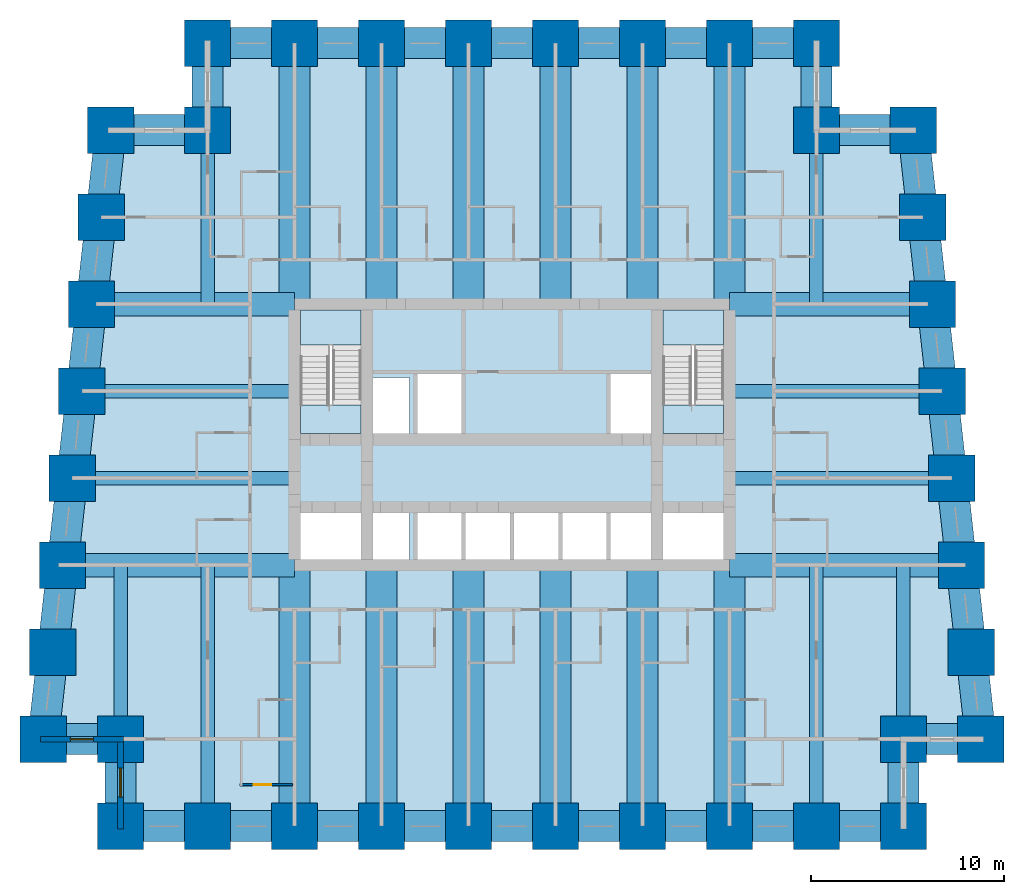
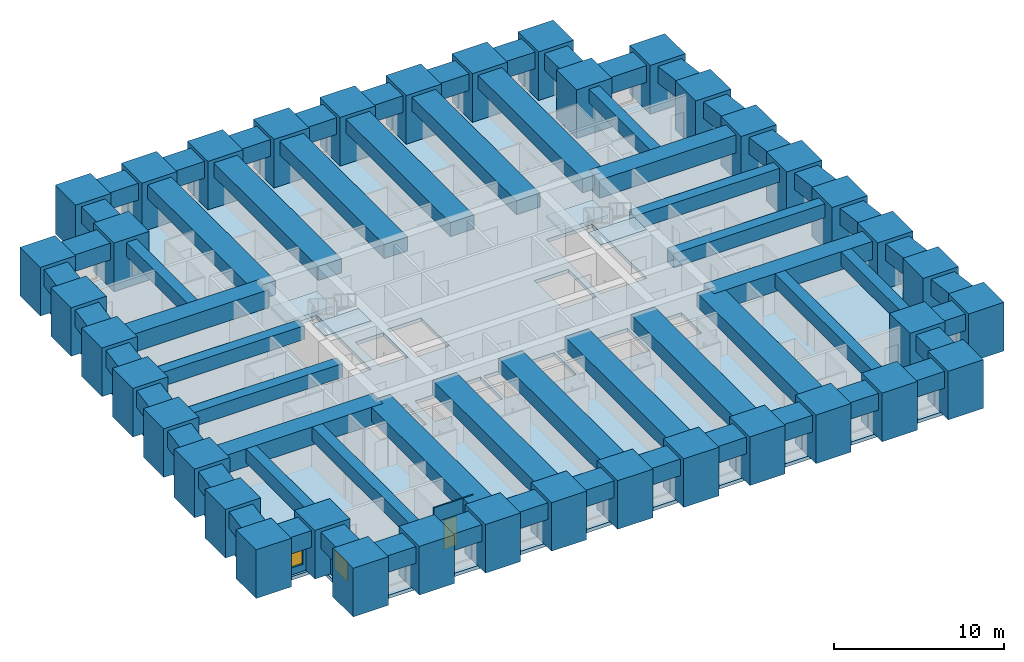
# One storey, part 1 of 8: 64 beams, 38 columns, 5 slabs, 3 walls, 2 windows, 1 door, 3 openings, 2 elements without a shape of their own.
"""IFC4 building model written with IfcOpenShell, lengths in metres."""

from ifc_helpers import new_model, si_unit, direction, frame, frame_2d, origin, origin_2d, place, context, subcontext, project, spatial, polyline, rectangle, outline, extrude, material, layer, layer_set, material_profile, profile_set, type_object, element, fill, aggregate, save


model = new_model("IFC4")

# Units and contexts
model_context = context("Model", 3, precision=1e-05, world=origin(), true_north=direction((0.0, 1.0)))
body_context = subcontext(model_context, "Body", "Model", "MODEL_VIEW")
ifc_project = project(units=[si_unit("LENGTHUNIT", "METRE"), si_unit("AREAUNIT", "SQUARE_METRE"), si_unit("VOLUMEUNIT", "CUBIC_METRE"), si_unit("PLANEANGLEUNIT", "RADIAN"), si_unit("MASSUNIT", "GRAM", prefix="KILO")], contexts=[model_context])

# Site, building, storey
site_placement = place(None, origin())
site = spatial("IfcSite", under=ifc_project, at=site_placement, CompositionType="ELEMENT")
building_placement = place(site_placement, origin())
building = spatial("IfcBuilding", under=site, at=building_placement, Name="Kilele Tower Hotel", CompositionType="ELEMENT")
storey_placement = place(building_placement, frame((0.0, 0.0, 29.699951171875)))
storey = spatial("IfcBuildingStorey", under=building, at=storey_placement, Name="L05", CompositionType="ELEMENT", Elevation=29.699951171875)

# Columns
ifc_material_1 = material(Name="Concrete C80/95", Category="concrete")
ifc_material_profile_1 = material_profile(ifc_material_1, rectangle(XDim=2.39990234375, YDim=2.39990234375, at=origin_2d()))
ifc_profile_set_1 = profile_set([ifc_material_profile_1], Name="Concrete C80/95")
column_type = type_object("IfcColumnType", Name="Tube column RC 2400x2400 C80/95", PredefinedType="COLUMN", material=ifc_profile_set_1)
for number, where, z_axis, x_axis, name in (
    (1, (0.5, 4.5, 0.0), (0.0, 0.0, 1.0), (1.0, 0.0, 0.0), "Column TC15 L05"),
    (2, (4.5, 4.5, 0.0), (0.0, 0.0, 1.0), (1.0, 0.0, 0.0), "Column TC15 L05"),
    (3, (4.5, 0.0, 0.0), (0.0, 0.0, 1.0), (1.0, 0.0, 0.0), "Column TC15 L05"),
    (4, (9.0, 0.0, 0.0), (0.0, 0.0, 1.0), (1.0, 0.0, 0.0), "Column TC15 L05"),
    (5, (13.5, 0.0, 0.0), (0.0, 0.0, 1.0), (1.0, 0.0, 0.0), "Column TC15 L05"),
    (6, (18.0, 0.0, 0.0), (0.0, 0.0, 1.0), (1.0, 0.0, 0.0), "Column TC15 L05"),
    (7, (22.5, 0.0, 0.0), (0.0, 0.0, 1.0), (1.0, 0.0, 0.0), "Column TC15 L05"),
    (8, (27.0, 0.0, 0.0), (0.0, 0.0, 1.0), (1.0, 0.0, 0.0), "Column TC15 L05"),
    (9, (31.5, 0.0, 0.0), (0.0, 0.0, 1.0), (1.0, 0.0, 0.0), "Column TC15 L05"),
    (10, (36.0, 0.0, 0.0), (0.0, 0.0, 1.0), (1.0, 0.0, 0.0), "Column TC15 L05"),
    (11, (40.5, 0.0, 0.0), (0.0, 0.0, 1.0), (1.0, 0.0, 0.0), "Column TC15 L05"),
    (12, (45.0, 0.0, 0.0), (0.0, 0.0, 1.0), (1.0, 0.0, 0.0), "Column TC15 L05"),
    (13, (45.0, 4.5, 0.0), (0.0, 0.0, 1.0), (1.0, 0.0, 0.0), "Column TC15 L05"),
    (14, (49.0, 4.5, 0.0), (0.0, 0.0, 1.0), (1.0, 0.0, 0.0), "Column TC15 L05"),
    (15, (48.5, 9.0, 0.0), (0.0, 0.0, 1.0), (1.0, 0.0, 0.0), "Column TC15 L05"),
    (16, (48.0, 13.5, 0.0), (0.0, 0.0, 1.0), (1.0, 0.0, 0.0), "Column TC15 L05"),
    (17, (47.5, 18.0, 0.0), (0.0, 0.0, 1.0), (1.0, 0.0, 0.0), "Column TC15 L05"),
    (18, (47.0, 22.5, 0.0), (0.0, 0.0, 1.0), (1.0, 0.0, 0.0), "Column TC15 L05"),
    (19, (46.5, 27.0, 0.0), (0.0, 0.0, 1.0), (1.0, 0.0, 0.0), "Column TC15 L05"),
    (20, (46.0, 31.5, 0.0), (0.0, 0.0, 1.0), (1.0, 0.0, 0.0), "Column TC15 L05"),
    (21, (45.5, 36.0, 0.0), (0.0, 0.0, 1.0), (1.0, 0.0, 0.0), "Column TC15 L05"),
    (22, (40.5, 36.0, 0.0), (0.0, 0.0, 1.0), (1.0, 0.0, 0.0), "Column TC15 L05"),
    (23, (40.5, 40.5, 0.0), (0.0, 0.0, 1.0), (1.0, 0.0, 0.0), "Column TC15 L05"),
    (24, (36.0, 40.5, 0.0), (0.0, 0.0, 1.0), (1.0, 0.0, 0.0), "Column TC15 L05"),
    (25, (31.5, 40.5, 0.0), (0.0, 0.0, 1.0), (1.0, 0.0, 0.0), "Column TC15 L05"),
    (26, (27.0, 40.5, 0.0), (0.0, 0.0, 1.0), (1.0, 0.0, 0.0), "Column TC15 L05"),
    (27, (22.5, 40.5, 0.0), (0.0, 0.0, 1.0), (1.0, 0.0, 0.0), "Column TC15 L05"),
    (28, (18.0, 40.5, 0.0), (0.0, 0.0, 1.0), (1.0, 0.0, 0.0), "Column TC15 L05"),
    (29, (13.5, 40.5, 0.0), (0.0, 0.0, 1.0), (1.0, 0.0, 0.0), "Column TC15 L05"),
    (30, (9.0, 40.5, 0.0), (0.0, 0.0, 1.0), (1.0, 0.0, 0.0), "Column TC15 L05"),
    (31, (9.0, 36.0, 0.0), (0.0, 0.0, 1.0), (1.0, 0.0, 0.0), "Column TC15 L05"),
    (32, (4.0, 36.0, 0.0), (0.0, 0.0, 1.0), (1.0, 0.0, 0.0), "Column TC15 L05"),
    (33, (3.5, 31.5, 0.0), (0.0, 0.0, 1.0), (1.0, 0.0, 0.0), "Column TC15 L05"),
    (34, (3.0, 27.0, 0.0), (0.0, 0.0, 1.0), (1.0, 0.0, 0.0), "Column TC15 L05"),
    (35, (2.5, 22.5, 0.0), (0.0, 0.0, 1.0), (1.0, 0.0, 0.0), "Column TC15 L05"),
    (36, (2.0, 18.0, 0.0), (0.0, 0.0, 1.0), (1.0, 0.0, 0.0), "Column TC15 L05"),
    (37, (1.5, 13.5, 0.0), (0.0, 0.0, 1.0), (1.0, 0.0, 0.0), "Column TC15 L05"),
    (38, (1.0, 9.0, 0.0), (0.0, 0.0, 1.0), (1.0, 0.0, 0.0), "Column TC15 L05"),
):
    element("IfcColumn", number, at=place(storey_placement, frame(where, z_axis=z_axis, x_axis=x_axis)), inside=storey, type_object=column_type, Name=name, PredefinedType="COLUMN", context=body_context, shape_type="SweptSolid", body=[
        extrude(rectangle(XDim=2.39990234375, YDim=2.39990234375, at=origin_2d()), origin(), (0.0, 0.0, 1.0), 3.5),
    ])

# Beams
ifc_material_2 = material(Name="Concrete C60/75", Category="concrete")
ifc_material_profile_2 = material_profile(ifc_material_2, rectangle(XDim=1.60009765625, YDim=1.0, at=origin_2d()))
ifc_profile_set_2 = profile_set([ifc_material_profile_2], Name="Concrete C60/75")
beam_type_1 = type_object("IfcBeamType", Name="Beam RC 1600x1000 C60/75", PredefinedType="BEAM", material=ifc_profile_set_2)
for number, where, z_axis, x_axis, name in (
    (39, (13.5, 0.0, 2.75), (0.0, 1.0, 0.0), (-1.0, 0.0, 0.0), "Beam BC1 level L06"),
    (40, (18.0, 0.0, 2.75), (0.0, 1.0, 0.0), (-1.0, 0.0, 0.0), "Beam BC1 level L06"),
    (41, (22.5, 0.0, 2.75), (0.0, 1.0, 0.0), (-1.0, 0.0, 0.0), "Beam BC1 level L06"),
    (42, (27.0, 0.0, 2.75), (0.0, 1.0, 0.0), (-1.0, 0.0, 0.0), "Beam BC1 level L06"),
    (43, (31.5, 0.0, 2.75), (0.0, 1.0, 0.0), (-1.0, 0.0, 0.0), "Beam BC1 level L06"),
    (44, (36.0, 0.0, 2.75), (0.0, 1.0, 0.0), (-1.0, 0.0, 0.0), "Beam BC1 level L06"),
    (45, (36.0, 40.5, 2.75), (0.0, -1.0, 0.0), (1.0, 0.0, 0.0), "Beam BC1 level L06"),
    (46, (31.5, 40.5, 2.75), (0.0, -1.0, 0.0), (1.0, 0.0, 0.0), "Beam BC1 level L06"),
    (47, (27.0, 40.5, 2.75), (0.0, -1.0, 0.0), (1.0, 0.0, 0.0), "Beam BC1 level L06"),
    (48, (22.5, 40.5, 2.75), (0.0, -1.0, 0.0), (1.0, 0.0, 0.0), "Beam BC1 level L06"),
    (49, (18.0, 40.5, 2.75), (0.0, -1.0, 0.0), (1.0, 0.0, 0.0), "Beam BC1 level L06"),
    (50, (13.5, 40.5, 2.75), (0.0, -1.0, 0.0), (1.0, 0.0, 0.0), "Beam BC1 level L06"),
):
    element("IfcBeam", number, at=place(storey_placement, frame(where, z_axis=z_axis, x_axis=x_axis)), inside=storey, type_object=beam_type_1, Name=name, PredefinedType="BEAM", context=body_context, shape_type="SweptSolid", body=[
        extrude(rectangle(XDim=1.60009765625, YDim=1.0, at=origin_2d()), origin(), (0.0, 0.0, 1.0), 13.5),
    ])
ifc_material_3 = material(Name="Concrete C60/75", Category="concrete")
ifc_material_profile_3 = material_profile(ifc_material_3, rectangle(XDim=0.699951171875, YDim=1.0, at=origin_2d()))
ifc_profile_set_3 = profile_set([ifc_material_profile_3], Name="Concrete C60/75")
beam_type_2 = type_object("IfcBeamType", Name="Beam RC 700x1000 C60/75", PredefinedType="BEAM", material=ifc_profile_set_3)
for number, where, z_axis, x_axis, name in (
    (51, (9.0, 0.0, 2.75), (0.0, 1.0, 0.0), (-1.0, 0.0, 0.0), "Beam B4 level L06"),
    (52, (40.5, 0.0, 2.75), (0.0, 1.0, 0.0), (-1.0, 0.0, 0.0), "Beam B4 level L06"),
):
    element("IfcBeam", number, at=place(storey_placement, frame(where, z_axis=z_axis, x_axis=x_axis)), inside=storey, type_object=beam_type_2, Name=name, PredefinedType="BEAM", context=body_context, shape_type="SweptSolid", body=[
        extrude(rectangle(XDim=0.699951171875, YDim=1.0, at=origin_2d()), origin(), (0.0, 0.0, 1.0), 13.5),
    ])
ifc_material_4 = material(Name="Concrete C60/75", Category="concrete")
ifc_material_profile_4 = material_profile(ifc_material_4, rectangle(XDim=0.699951171875, YDim=1.0, at=origin_2d()))
ifc_profile_set_4 = profile_set([ifc_material_profile_4], Name="Concrete C60/75")
beam_type_3 = type_object("IfcBeamType", Name="Beam RC 700x1000 C60/75 mid span", PredefinedType="BEAM", material=ifc_profile_set_4)
for number, where, z_axis, x_axis, name in (
    (53, (4.5, 4.5, 2.75), (0.0, 1.0, 0.0), (-1.0, 0.0, 0.0), "Beam B5 level L06"),
    (54, (45.0, 4.5, 2.75), (0.0, 1.0, 0.0), (-1.0, 0.0, 0.0), "Beam B5 level L06"),
):
    element("IfcBeam", number, at=place(storey_placement, frame(where, z_axis=z_axis, x_axis=x_axis)), inside=storey, type_object=beam_type_3, Name=name, PredefinedType="BEAM", context=body_context, shape_type="SweptSolid", body=[
        extrude(rectangle(XDim=0.699951171875, YDim=1.0, at=origin_2d()), origin(), (0.0, 0.0, 1.0), 9.0),
    ])
beam_1_placement = place(storey_placement, frame((47.5, 18.0, 2.75), z_axis=(-1.0, 0.0, 0.0), x_axis=(0.0, -1.0, 0.0)))
element("IfcBeam", 55, at=beam_1_placement, inside=storey, type_object=beam_type_3, Name="Beam B5 level L06", PredefinedType="BEAM", context=body_context, shape_type="SweptSolid", body=[
    extrude(rectangle(XDim=0.699951171875, YDim=1.0, at=origin_2d()), origin(), (0.0, 0.0, 1.0), 11.5),
])
beam_2_placement = place(storey_placement, frame((47.0, 22.5, 2.75), z_axis=(-1.0, 0.0, 0.0), x_axis=(0.0, -1.0, 0.0)))
element("IfcBeam", 56, at=beam_2_placement, inside=storey, type_object=beam_type_3, Name="Beam B5 level L06", PredefinedType="BEAM", context=body_context, shape_type="SweptSolid", body=[
    extrude(rectangle(XDim=0.699951171875, YDim=1.0, at=origin_2d()), origin(), (0.0, 0.0, 1.0), 11.0),
])
for number, where, z_axis, x_axis, name in (
    (57, (40.5, 36.0, 2.75), (0.0, -1.0, 0.0), (1.0, 0.0, 0.0), "Beam B5 level L06"),
    (58, (9.0, 36.0, 2.75), (0.0, -1.0, 0.0), (1.0, 0.0, 0.0), "Beam B5 level L06"),
):
    element("IfcBeam", number, at=place(storey_placement, frame(where, z_axis=z_axis, x_axis=x_axis)), inside=storey, type_object=beam_type_3, Name=name, PredefinedType="BEAM", context=body_context, shape_type="SweptSolid", body=[
        extrude(rectangle(XDim=0.699951171875, YDim=1.0, at=origin_2d()), origin(), (0.0, 0.0, 1.0), 9.0),
    ])
beam_3_placement = place(storey_placement, frame((2.5, 22.5, 2.75), z_axis=(1.0, 0.0, 0.0), x_axis=(0.0, 1.0, 0.0)))
element("IfcBeam", 59, at=beam_3_placement, inside=storey, type_object=beam_type_3, Name="Beam B5 level L06", PredefinedType="BEAM", context=body_context, shape_type="SweptSolid", body=[
    extrude(rectangle(XDim=0.699951171875, YDim=1.0, at=origin_2d()), origin(), (0.0, 0.0, 1.0), 11.0),
])
beam_4_placement = place(storey_placement, frame((2.0, 18.0, 2.75), z_axis=(1.0, 0.0, 0.0), x_axis=(0.0, 1.0, 0.0)))
element("IfcBeam", 60, at=beam_4_placement, inside=storey, type_object=beam_type_3, Name="Beam B5 level L06", PredefinedType="BEAM", context=body_context, shape_type="SweptSolid", body=[
    extrude(rectangle(XDim=0.699951171875, YDim=1.0, at=origin_2d()), origin(), (0.0, 0.0, 1.0), 11.5),
])
ifc_material_5 = material(Name="Concrete C60/75", Category="concrete")
ifc_material_profile_5 = material_profile(ifc_material_5, rectangle(XDim=1.199951171875, YDim=1.300048828125, at=origin_2d()))
ifc_profile_set_5 = profile_set([ifc_material_profile_5], Name="Concrete C60/75")
beam_type_4 = type_object("IfcBeamType", Name="Girder RC 1200x1300 C60/75", PredefinedType="BEAM", material=ifc_profile_set_5)
for number, where, z_axis, x_axis, name in (
    (61, (48.0, 13.5, 2.60009765625), (-1.0, 0.0, 0.0), (0.0, -1.0, 0.0), "Girder G1 level L06"),
    (62, (1.5, 13.5, 2.60009765625), (1.0, 0.0, 0.0), (0.0, 1.0, 0.0), "Girder G1 level L06"),
):
    element("IfcBeam", number, at=place(storey_placement, frame(where, z_axis=z_axis, x_axis=x_axis)), inside=storey, type_object=beam_type_4, Name=name, PredefinedType="BEAM", context=body_context, shape_type="SweptSolid", body=[
        extrude(rectangle(XDim=1.199951171875, YDim=1.300048828125, at=origin_2d()), origin(), (0.0, 0.0, 1.0), 12.0),
    ])
ifc_material_6 = material(Name="Concrete C60/75", Category="concrete")
ifc_material_profile_6 = material_profile(ifc_material_6, rectangle(XDim=1.199951171875, YDim=1.300048828125, at=origin_2d()))
ifc_profile_set_6 = profile_set([ifc_material_profile_6], Name="Concrete C60/75")
beam_type_5 = type_object("IfcBeamType", Name="Girder RC 1200x1300 C60/75 mid span", PredefinedType="BEAM", material=ifc_profile_set_6)
for number, where, z_axis, x_axis, name in (
    (63, (46.5, 27.0, 2.60009765625), (-1.0, 0.0, 0.0), (0.0, -1.0, 0.0), "Girder G3 level L06"),
    (64, (3.0, 27.0, 2.60009765625), (1.0, 0.0, 0.0), (0.0, 1.0, 0.0), "Girder G3 level L06"),
):
    element("IfcBeam", number, at=place(storey_placement, frame(where, z_axis=z_axis, x_axis=x_axis)), inside=storey, type_object=beam_type_5, Name=name, PredefinedType="BEAM", context=body_context, shape_type="SweptSolid", body=[
        extrude(rectangle(XDim=1.199951171875, YDim=1.300048828125, at=origin_2d()), origin(), (0.0, 0.0, 1.0), 10.5),
    ])
ifc_material_7 = material(Name="Concrete C60/75", Category="concrete")
ifc_material_profile_7 = material_profile(ifc_material_7, rectangle(XDim=1.60009765625, YDim=1.199951171875, at=origin_2d()))
ifc_profile_set_7 = profile_set([ifc_material_profile_7], Name="Concrete C60/75")
beam_type_6 = type_object("IfcBeamType", Name="Spandrel RC 1600x1200 C60/75", PredefinedType="SPANDREL", material=ifc_profile_set_7)
beam_5_placement = place(storey_placement, frame((0.5, 4.5, 2.650146484375), z_axis=(1.0, 0.0, 0.0), x_axis=(0.0, 1.0, 0.0)))
element("IfcBeam", 65, at=beam_5_placement, inside=storey, type_object=beam_type_6, Name="Spandrel SP11 level L06", PredefinedType="SPANDREL", context=body_context, shape_type="SweptSolid", body=[
    extrude(rectangle(XDim=1.60009765625, YDim=1.199951171875, at=origin_2d()), origin(), (0.0, 0.0, 1.0), 4.0),
])
for number, where, z_axis, x_axis, name in (
    (66, (4.5, 4.5, 2.650146484375), (0.0, -1.0, 0.0), (1.0, 0.0, 0.0), "Spandrel SP11 level L06"),
    (67, (4.5, 0.0, 2.650146484375), (1.0, 0.0, 0.0), (0.0, 1.0, 0.0), "Spandrel SP11 level L06"),
    (68, (9.0, 0.0, 2.650146484375), (1.0, 0.0, 0.0), (0.0, 1.0, 0.0), "Spandrel SP11 level L06"),
    (69, (13.5, 0.0, 2.650146484375), (1.0, 0.0, 0.0), (0.0, 1.0, 0.0), "Spandrel SP11 level L06"),
    (70, (18.0, 0.0, 2.650146484375), (1.0, 0.0, 0.0), (0.0, 1.0, 0.0), "Spandrel SP11 level L06"),
    (71, (22.5, 0.0, 2.650146484375), (1.0, 0.0, 0.0), (0.0, 1.0, 0.0), "Spandrel SP11 level L06"),
    (72, (27.0, 0.0, 2.650146484375), (1.0, 0.0, 0.0), (0.0, 1.0, 0.0), "Spandrel SP11 level L06"),
    (73, (31.5, 0.0, 2.650146484375), (1.0, 0.0, 0.0), (0.0, 1.0, 0.0), "Spandrel SP11 level L06"),
    (74, (36.0, 0.0, 2.650146484375), (1.0, 0.0, 0.0), (0.0, 1.0, 0.0), "Spandrel SP11 level L06"),
    (75, (40.5, 0.0, 2.650146484375), (1.0, 0.0, 0.0), (0.0, 1.0, 0.0), "Spandrel SP11 level L06"),
    (76, (45.0, 0.0, 2.650146484375), (0.0, 1.0, 0.0), (-1.0, 0.0, 0.0), "Spandrel SP11 level L06"),
):
    element("IfcBeam", number, at=place(storey_placement, frame(where, z_axis=z_axis, x_axis=x_axis)), inside=storey, type_object=beam_type_6, Name=name, PredefinedType="SPANDREL", context=body_context, shape_type="SweptSolid", body=[
        extrude(rectangle(XDim=1.60009765625, YDim=1.199951171875, at=origin_2d()), origin(), (0.0, 0.0, 1.0), 4.5),
    ])
beam_6_placement = place(storey_placement, frame((45.0, 4.5, 2.650146484375), z_axis=(1.0, 0.0, 0.0), x_axis=(0.0, 1.0, 0.0)))
element("IfcBeam", 77, at=beam_6_placement, inside=storey, type_object=beam_type_6, Name="Spandrel SP11 level L06", PredefinedType="SPANDREL", context=body_context, shape_type="SweptSolid", body=[
    extrude(rectangle(XDim=1.60009765625, YDim=1.199951171875, at=origin_2d()), origin(), (0.0, 0.0, 1.0), 4.0),
])
for number, where, z_axis, x_axis, name in (
    (78, (49.0, 4.5, 2.650146484375), (-0.110431526075, 0.993883734674, 0.0), (-0.993883734674, -0.110431526075, 0.0), "Spandrel SP11 level L06"),
    (79, (48.5, 9.0, 2.650146484375), (-0.110431526075, 0.993883734674, 0.0), (-0.993883734674, -0.110431526075, 0.0), "Spandrel SP11 level L06"),
    (80, (48.0, 13.5, 2.650146484375), (-0.110431526075, 0.993883734674, 0.0), (-0.993883734674, -0.110431526075, 0.0), "Spandrel SP11 level L06"),
    (81, (47.5, 18.0, 2.650146484375), (-0.110431526075, 0.993883734674, 0.0), (-0.993883734674, -0.110431526075, 0.0), "Spandrel SP11 level L06"),
    (82, (47.0, 22.5, 2.650146484375), (-0.110431526075, 0.993883734674, 0.0), (-0.993883734674, -0.110431526075, 0.0), "Spandrel SP11 level L06"),
    (83, (46.5, 27.0, 2.650146484375), (-0.110431526075, 0.993883734674, 0.0), (-0.993883734674, -0.110431526075, 0.0), "Spandrel SP11 level L06"),
    (84, (46.0, 31.5, 2.650146484375), (-0.110431526075, 0.993883734674, 0.0), (-0.993883734674, -0.110431526075, 0.0), "Spandrel SP11 level L06"),
):
    element("IfcBeam", number, at=place(storey_placement, frame(where, z_axis=z_axis, x_axis=x_axis)), inside=storey, type_object=beam_type_6, Name=name, PredefinedType="SPANDREL", context=body_context, shape_type="SweptSolid", body=[
        extrude(rectangle(XDim=1.60009765625, YDim=1.199951171875, at=origin_2d()), origin(), (0.0, 0.0, 1.0), 4.527587890625),
    ])
beam_7_placement = place(storey_placement, frame((45.5, 36.0, 2.650146484375), z_axis=(-1.0, 0.0, 0.0), x_axis=(0.0, -1.0, 0.0)))
element("IfcBeam", 85, at=beam_7_placement, inside=storey, type_object=beam_type_6, Name="Spandrel SP11 level L06", PredefinedType="SPANDREL", context=body_context, shape_type="SweptSolid", body=[
    extrude(rectangle(XDim=1.60009765625, YDim=1.199951171875, at=origin_2d()), origin(), (0.0, 0.0, 1.0), 5.0),
])
for number, where, z_axis, x_axis, name in (
    (86, (40.5, 36.0, 2.650146484375), (0.0, 1.0, 0.0), (-1.0, 0.0, 0.0), "Spandrel SP11 level L06"),
    (87, (40.5, 40.5, 2.650146484375), (-1.0, 0.0, 0.0), (0.0, -1.0, 0.0), "Spandrel SP11 level L06"),
    (88, (36.0, 40.5, 2.650146484375), (-1.0, 0.0, 0.0), (0.0, -1.0, 0.0), "Spandrel SP11 level L06"),
    (89, (31.5, 40.5, 2.650146484375), (-1.0, 0.0, 0.0), (0.0, -1.0, 0.0), "Spandrel SP11 level L06"),
    (90, (27.0, 40.5, 2.650146484375), (-1.0, 0.0, 0.0), (0.0, -1.0, 0.0), "Spandrel SP11 level L06"),
    (91, (22.5, 40.5, 2.650146484375), (-1.0, 0.0, 0.0), (0.0, -1.0, 0.0), "Spandrel SP11 level L06"),
    (92, (18.0, 40.5, 2.650146484375), (-1.0, 0.0, 0.0), (0.0, -1.0, 0.0), "Spandrel SP11 level L06"),
    (93, (13.5, 40.5, 2.650146484375), (-1.0, 0.0, 0.0), (0.0, -1.0, 0.0), "Spandrel SP11 level L06"),
    (94, (9.0, 40.5, 2.650146484375), (0.0, -1.0, 0.0), (1.0, 0.0, 0.0), "Spandrel SP11 level L06"),
):
    element("IfcBeam", number, at=place(storey_placement, frame(where, z_axis=z_axis, x_axis=x_axis)), inside=storey, type_object=beam_type_6, Name=name, PredefinedType="SPANDREL", context=body_context, shape_type="SweptSolid", body=[
        extrude(rectangle(XDim=1.60009765625, YDim=1.199951171875, at=origin_2d()), origin(), (0.0, 0.0, 1.0), 4.5),
    ])
beam_8_placement = place(storey_placement, frame((9.0, 36.0, 2.650146484375), z_axis=(-1.0, 0.0, 0.0), x_axis=(0.0, -1.0, 0.0)))
element("IfcBeam", 95, at=beam_8_placement, inside=storey, type_object=beam_type_6, Name="Spandrel SP11 level L06", PredefinedType="SPANDREL", context=body_context, shape_type="SweptSolid", body=[
    extrude(rectangle(XDim=1.60009765625, YDim=1.199951171875, at=origin_2d()), origin(), (0.0, 0.0, 1.0), 5.0),
])
for number, where, z_axis, x_axis, name in (
    (96, (4.0, 36.0, 2.650146484375), (-0.110431526075, -0.993883734674, 0.0), (0.993883734674, -0.110431526075, 0.0), "Spandrel SP11 level L06"),
    (97, (3.5, 31.5, 2.650146484375), (-0.110431526075, -0.993883734674, 0.0), (0.993883734674, -0.110431526075, 0.0), "Spandrel SP11 level L06"),
    (98, (3.0, 27.0, 2.650146484375), (-0.110431526075, -0.993883734674, 0.0), (0.993883734674, -0.110431526075, 0.0), "Spandrel SP11 level L06"),
    (99, (2.5, 22.5, 2.650146484375), (-0.110431526075, -0.993883734674, 0.0), (0.993883734674, -0.110431526075, 0.0), "Spandrel SP11 level L06"),
    (100, (2.0, 18.0, 2.650146484375), (-0.110431526075, -0.993883734674, 0.0), (0.993883734674, -0.110431526075, 0.0), "Spandrel SP11 level L06"),
    (101, (1.5, 13.5, 2.650146484375), (-0.110431526075, -0.993883734674, 0.0), (0.993883734674, -0.110431526075, 0.0), "Spandrel SP11 level L06"),
    (102, (1.0, 9.0, 2.650146484375), (-0.110431526075, -0.993883734674, 0.0), (0.993883734674, -0.110431526075, 0.0), "Spandrel SP11 level L06"),
):
    element("IfcBeam", number, at=place(storey_placement, frame(where, z_axis=z_axis, x_axis=x_axis)), inside=storey, type_object=beam_type_6, Name=name, PredefinedType="SPANDREL", context=body_context, shape_type="SweptSolid", body=[
        extrude(rectangle(XDim=1.60009765625, YDim=1.199951171875, at=origin_2d()), origin(), (0.0, 0.0, 1.0), 4.527587890625),
    ])

# Slab
ifc_material_8 = material(Name="Concrete C60/75", Category="concrete")
ifc_layer_1 = layer(ifc_material_8, 0.25)
ifc_layer_set_1 = layer_set([ifc_layer_1], Name="Concrete C60/75")
slab_type_1 = type_object("IfcSlabType", Name="Floor slab 250", PredefinedType="FLOOR", material=ifc_layer_set_1)
slab_1_placement = place(storey_placement, frame((0.0, 0.0, -0.25)))
element("IfcSlab", 103, at=slab_1_placement, inside=storey, type_object=slab_type_1, Name="Floor slab L05", PredefinedType="FLOOR", context=body_context, shape_type="SweptSolid", body=[
    extrude(outline(polyline([(8.699951171875, 36.300048828125), (8.699951171875, 40.800048828125), (40.800048828125, 40.800048828125), (40.800048828125, 36.300048828125), (45.7685546875, 36.300048828125), (49.335205078125, 4.199951171875), (45.300048828125, 4.199951171875), (45.300048828125, -0.300048828125), (4.199951171875, -0.300048828125), (4.199951171875, 4.199951171875), (0.164794921875, 4.199951171875), (3.7314453125, 36.300048828125), (8.699951171875, 36.300048828125)]), holes=[polyline([(16.949951171875, 16.199951171875), (13.800048828125, 16.199951171875), (13.800048828125, 13.800048828125), (16.949951171875, 13.800048828125), (16.949951171875, 16.199951171875)]), polyline([(19.449951171875, 13.800048828125), (19.449951171875, 16.199951171875), (17.550048828125, 16.199951171875), (17.550048828125, 13.800048828125), (19.449951171875, 13.800048828125)]), polyline([(22.14990234375, 13.800048828125), (22.14990234375, 16.39990234375), (19.85009765625, 16.39990234375), (19.85009765625, 13.800048828125), (22.14990234375, 13.800048828125)]), polyline([(24.64990234375, 16.39990234375), (22.35009765625, 16.39990234375), (22.35009765625, 13.800048828125), (24.64990234375, 13.800048828125), (24.64990234375, 16.39990234375)]), polyline([(19.449951171875, 20.300048828125), (19.449951171875, 23.199951171875), (17.550048828125, 23.199951171875), (17.550048828125, 20.300048828125), (19.449951171875, 20.300048828125)]), polyline([(22.14990234375, 20.10009765625), (22.14990234375, 23.39990234375), (19.85009765625, 23.39990234375), (19.85009765625, 20.10009765625), (22.14990234375, 20.10009765625)]), polyline([(16.949951171875, 26.699951171875), (13.800048828125, 26.699951171875), (13.800048828125, 20.300048828125), (16.949951171875, 20.300048828125), (16.949951171875, 26.699951171875)]), polyline([(35.699951171875, 13.800048828125), (35.699951171875, 16.199951171875), (32.550048828125, 16.199951171875), (32.550048828125, 13.800048828125), (35.699951171875, 13.800048828125)]), polyline([(27.14990234375, 13.800048828125), (27.14990234375, 16.39990234375), (24.85009765625, 16.39990234375), (24.85009765625, 13.800048828125), (27.14990234375, 13.800048828125)]), polyline([(29.64990234375, 13.800048828125), (29.64990234375, 16.39990234375), (27.35009765625, 16.39990234375), (27.35009765625, 13.800048828125), (29.64990234375, 13.800048828125)]), polyline([(32.14990234375, 13.800048828125), (32.14990234375, 16.39990234375), (29.85009765625, 16.39990234375), (29.85009765625, 13.800048828125), (32.14990234375, 13.800048828125)]), polyline([(32.14990234375, 20.10009765625), (32.14990234375, 23.39990234375), (29.85009765625, 23.39990234375), (29.85009765625, 20.10009765625), (32.14990234375, 20.10009765625)]), polyline([(35.699951171875, 20.300048828125), (35.699951171875, 26.699951171875), (32.550048828125, 26.699951171875), (32.550048828125, 20.300048828125), (35.699951171875, 20.300048828125)])]), origin(), (0.0, 0.0, 1.0), 0.25),
])

# Stair, slabs
ifc_material_9 = material(Name="Precast concrete C40/50", Category="concrete")
stair_type = type_object("IfcStairType", Name="Stair 1475 x 3500", PredefinedType="HALF_TURN_STAIR", material=ifc_material_9)
stair_1_placement = place(storey_placement, origin())
stair_1 = element("IfcStair", 104, at=stair_1_placement, inside=storey, type_object=stair_type, Name="Stair 1 L05", PredefinedType="HALF_TURN_STAIR")
ifc_material_10 = material(Name="Precast concrete C40/50", Category="concrete")
ifc_layer_2 = layer(ifc_material_10, 0.199951171875)
ifc_layer_set_2 = layer_set([ifc_layer_2], Name="Precast concrete C40/50")
slab_type_2 = type_object("IfcSlabType", Name="Stair landing 200", PredefinedType="LANDING", material=ifc_layer_set_2)
slab_2_placement = place(storey_placement, frame((0.0, 0.0, 1.550048828125)))
slab_2 = element("IfcSlab", 105, at=slab_2_placement, type_object=slab_type_2, Name="ST1 landing 1", PredefinedType="LANDING", context=body_context, shape_type="SweptSolid", body=[
    extrude(outline(polyline([(13.800048828125, 24.89501953125), (16.949951171875, 24.89501953125), (16.949951171875, 26.699951171875), (13.800048828125, 26.699951171875), (13.800048828125, 24.89501953125)])), origin(), (0.0, 0.0, 1.0), 0.199951171875),
])
slab_3_placement = place(storey_placement, frame((0.0, 0.0, 3.300048828125)))
slab_3 = element("IfcSlab", 106, at=slab_3_placement, type_object=slab_type_2, Name="ST1 landing 2", PredefinedType="LANDING", context=body_context, shape_type="SweptSolid", body=[
    extrude(outline(polyline([(13.800048828125, 20.300048828125), (16.949951171875, 20.300048828125), (16.949951171875, 21.77490234375), (13.800048828125, 21.77490234375), (13.800048828125, 20.300048828125)])), origin(), (0.0, 0.0, 1.0), 0.199951171875),
])
aggregate(stair_1, [slab_2, slab_3])

stair_2_placement = place(storey_placement, origin())
stair_2 = element("IfcStair", 107, at=stair_2_placement, inside=storey, type_object=stair_type, Name="Stair 2 L05", PredefinedType="HALF_TURN_STAIR")
slab_4_placement = place(storey_placement, frame((0.0, 0.0, 1.550048828125)))
slab_4 = element("IfcSlab", 108, at=slab_4_placement, type_object=slab_type_2, Name="ST2 landing 1", PredefinedType="LANDING", context=body_context, shape_type="SweptSolid", body=[
    extrude(outline(polyline([(32.550048828125, 24.89501953125), (35.699951171875, 24.89501953125), (35.699951171875, 26.699951171875), (32.550048828125, 26.699951171875), (32.550048828125, 24.89501953125)])), origin(), (0.0, 0.0, 1.0), 0.199951171875),
])
slab_5_placement = place(storey_placement, frame((0.0, 0.0, 3.300048828125)))
slab_5 = element("IfcSlab", 109, at=slab_5_placement, type_object=slab_type_2, Name="ST2 landing 2", PredefinedType="LANDING", context=body_context, shape_type="SweptSolid", body=[
    extrude(outline(polyline([(32.550048828125, 20.300048828125), (35.699951171875, 20.300048828125), (35.699951171875, 21.77490234375), (32.550048828125, 21.77490234375), (32.550048828125, 20.300048828125)])), origin(), (0.0, 0.0, 1.0), 0.199951171875),
])
aggregate(stair_2, [slab_4, slab_5])

# Wall, opening, door
ifc_material_11 = material(Name="Moisture-resistant board")
ifc_layer_3 = layer(ifc_material_11, 0.10009765625)
ifc_layer_set_3 = layer_set([ifc_layer_3], Name="Moisture-resistant board")
wall_type_1 = type_object("IfcWallType", Name="Bathroom partition 100", PredefinedType="PLUMBINGWALL", material=ifc_layer_set_3)
wall_1_placement = place(storey_placement, frame((13.39990234375, 2.14990234375, 0.0), z_axis=(0.0, 0.0, 1.0), x_axis=(-1.0, 0.0, 0.0)))
wall_1 = element("IfcWall", 110, at=wall_1_placement, inside=storey, type_object=wall_type_1, Name="Bathroom partition 100 L05", PredefinedType="PLUMBINGWALL", context=body_context, shape_type="SweptSolid", body=[
    extrude(rectangle(XDim=2.699951171875, YDim=0.10009765625, at=frame_2d((1.35009765625, 0.0))), origin(), (0.0, 0.0, 1.0), 3.25),
])
opening_1_placement = place(wall_1_placement, frame((1.10009765625, 0.0, 0.0)))
opening_1 = element("IfcOpeningElement", 111, at=opening_1_placement, cuts=wall_1, Name="Opening D2A", PredefinedType="OPENING", context=body_context, shape_type="SweptSolid", body=[
    extrude(rectangle(XDim=0.89990234375, YDim=2.10009765625, at=frame_2d((0.449951171875, 1.050048828125))), frame((0.0, 0.06005859375, 0.0), z_axis=(0.0, -1.0, 0.0), x_axis=(1.0, 0.0, 0.0)), (0.0, 0.0, 1.0), 0.1201171875),
])
ifc_material_12 = material(Name="Timber door leaf in hardwood frame", Category="wood")
door_type = type_object("IfcDoorType", Name="Bathroom door 900", OperationType="SINGLE_SWING_LEFT", PredefinedType="DOOR", material=ifc_material_12)
door_placement = place(opening_1_placement, origin())
door = element("IfcDoor", 112, at=door_placement, inside=storey, type_object=door_type, Name="Bathroom door 0519B", OperationType="SINGLE_SWING_LEFT", OverallHeight=2.10009765625, OverallWidth=0.89990234375, PredefinedType="DOOR", context=body_context, shape_type="SweptSolid", body=[
    extrude(rectangle(XDim=0.89990234375, YDim=2.10009765625, at=frame_2d((0.449951171875, 1.050048828125))), frame((0.0, 0.02490234375, 0.0), z_axis=(0.0, -1.0, 0.0), x_axis=(1.0, 0.0, 0.0)), (0.0, 0.0, 1.0), 0.050048828125),
])
fill(opening_1, door)

# Wall, opening, window
ifc_material_13 = material(Name="Concrete C40/50 precast", Category="concrete")
ifc_layer_4 = layer(ifc_material_13, 0.260009765625, Name="Precast backing", Category="LoadBearing")
ifc_material_14 = material(Name="Reconstituted stone finish", Category="masonry")
ifc_layer_5 = layer(ifc_material_14, 0.0400390625, Name="Face mix", Category="Finish")
ifc_layer_set_4 = layer_set([ifc_layer_4, ifc_layer_5], Name="Precast concrete C40/50, reconstituted stone finish")
wall_type_2 = type_object("IfcWallType", Name="Precast stone facade wall 300", PredefinedType="STANDARD", material=ifc_layer_set_4)
wall_2_placement = place(storey_placement, frame((0.35009765625, 4.5, 0.0), z_axis=(0.0, 0.0, 1.0), x_axis=(1.0, 0.0, 0.0)))
wall_2 = element("IfcWall", 113, at=wall_2_placement, inside=storey, type_object=wall_type_2, Name="Facade wall L05 edge 1", PredefinedType="STANDARD", context=body_context, shape_type="SweptSolid", body=[
    extrude(rectangle(XDim=4.2998046875, YDim=0.300048828125, at=frame_2d((2.14990234375, 0.0))), origin(), (0.0, 0.0, 1.0), 2.050048828125),
])
opening_2_placement = place(wall_2_placement, frame((1.550048828125, 0.0, 0.5)))
opening_2 = element("IfcOpeningElement", 114, at=opening_2_placement, cuts=wall_2, Name="Opening W1", PredefinedType="OPENING", context=body_context, shape_type="SweptSolid", body=[
    extrude(rectangle(XDim=1.199951171875, YDim=1.39990234375, at=frame_2d((0.60009765625, 0.699951171875))), frame((0.0, 0.159912109375, 0.0), z_axis=(0.0, -1.0, 0.0), x_axis=(1.0, 0.0, 0.0)), (0.0, 0.0, 1.0), 0.320068359375),
])
ifc_material_15 = material(Name="Aluminium frame, clear double glazing", Category="aluminium")
window_type_1 = type_object("IfcWindowType", Name="Window W1 1200 x 1400", PartitioningType="SINGLE_PANEL", PredefinedType="WINDOW", material=ifc_material_15)
window_1_placement = place(opening_2_placement, origin())
window_1 = element("IfcWindow", 115, at=window_1_placement, inside=storey, type_object=window_type_1, Name="Window L05", OverallHeight=1.39990234375, OverallWidth=1.199951171875, PartitioningType="SINGLE_PANEL", PredefinedType="WINDOW", context=body_context, shape_type="SweptSolid", body=[
    extrude(rectangle(XDim=1.199951171875, YDim=1.39990234375, at=frame_2d((0.60009765625, 0.699951171875))), frame((0.0, 0.030029296875, 0.0), z_axis=(0.0, -1.0, 0.0), x_axis=(1.0, 0.0, 0.0)), (0.0, 0.0, 1.0), 0.06005859375),
])
fill(opening_2, window_1)

wall_3_placement = place(storey_placement, frame((4.5, 4.64990234375, 0.0), z_axis=(0.0, 0.0, 1.0), x_axis=(0.0, -1.0, 0.0)))
wall_3 = element("IfcWall", 116, at=wall_3_placement, inside=storey, type_object=wall_type_2, Name="Facade wall L05 edge 2", PredefinedType="STANDARD", context=body_context, shape_type="SweptSolid", body=[
    extrude(rectangle(XDim=4.7998046875, YDim=0.300048828125, at=frame_2d((2.39990234375, 0.0))), origin(), (0.0, 0.0, 1.0), 2.050048828125),
])
opening_3_placement = place(wall_3_placement, frame((1.64990234375, 0.0, 0.5)))
opening_3 = element("IfcOpeningElement", 117, at=opening_3_placement, cuts=wall_3, Name="Opening W1", PredefinedType="OPENING", context=body_context, shape_type="SweptSolid", body=[
    extrude(rectangle(XDim=1.5, YDim=1.39990234375, at=frame_2d((0.75, 0.699951171875))), frame((0.0, 0.159912109375, 0.0), z_axis=(0.0, -1.0, 0.0), x_axis=(1.0, 0.0, 0.0)), (0.0, 0.0, 1.0), 0.320068359375),
])
ifc_material_16 = material(Name="Aluminium frame, clear double glazing", Category="aluminium")
window_type_2 = type_object("IfcWindowType", Name="Window W1 1500 x 1400", PartitioningType="SINGLE_PANEL", PredefinedType="WINDOW", material=ifc_material_16)
window_2_placement = place(opening_3_placement, origin())
window_2 = element("IfcWindow", 118, at=window_2_placement, inside=storey, type_object=window_type_2, Name="Window L05", OverallHeight=1.39990234375, OverallWidth=1.5, PartitioningType="SINGLE_PANEL", PredefinedType="WINDOW", context=body_context, shape_type="SweptSolid", body=[
    extrude(rectangle(XDim=1.5, YDim=1.39990234375, at=frame_2d((0.75, 0.699951171875))), frame((0.0, 0.030029296875, 0.0), z_axis=(0.0, -1.0, 0.0), x_axis=(1.0, 0.0, 0.0)), (0.0, 0.0, 1.0), 0.06005859375),
])
fill(opening_3, window_2)

save(model, "model.ifc")
